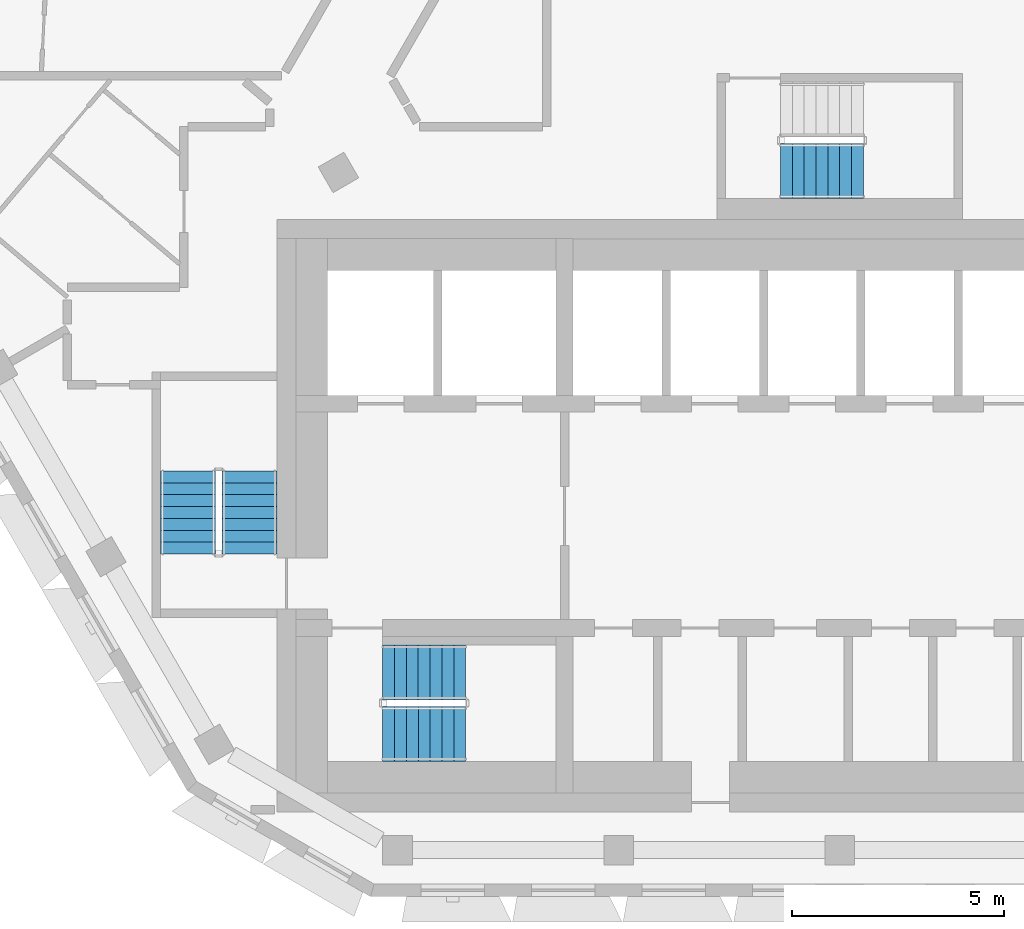
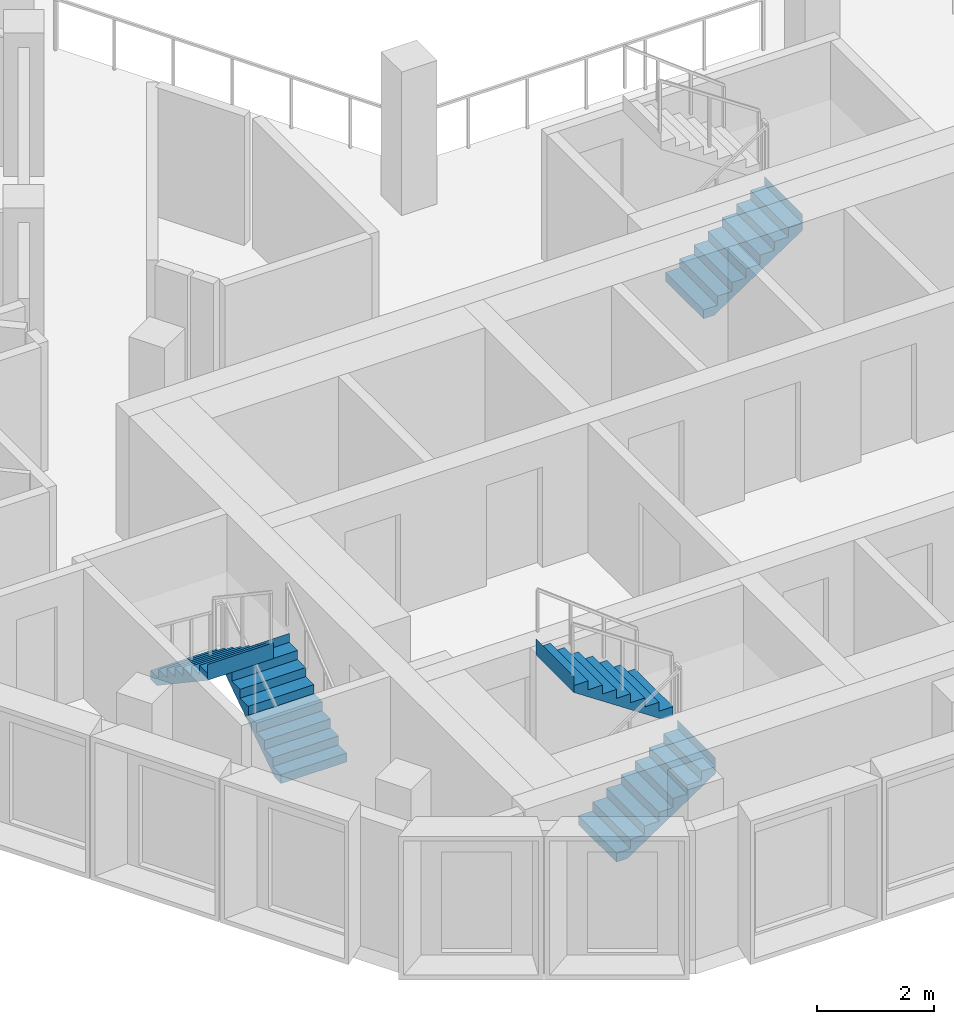
# One storey, part 10 of 16: 5 stair flights, 3 elements without a shape of their own.
"""IFC4 building model written with IfcOpenShell, lengths in metres."""

from ifc_helpers import new_model, si_unit, direction, frame, origin, place, context, subcontext, project, spatial, triangles, material, type_object, element, aggregate, save


model = new_model("IFC4")

# Units and contexts
model_context = context("Model", 3, precision=1e-05, world=origin(), true_north=direction((0.0, 1.0)))
body_context = subcontext(model_context, "Body", "Model", "MODEL_VIEW")
ifc_project = project(units=[si_unit("LENGTHUNIT", "METRE"), si_unit("AREAUNIT", "SQUARE_METRE"), si_unit("VOLUMEUNIT", "CUBIC_METRE"), si_unit("PLANEANGLEUNIT", "RADIAN"), si_unit("MASSUNIT", "GRAM", prefix="KILO")], contexts=[model_context])

# Site, building, storey
site_placement = place(None, origin())
site = spatial("IfcSite", under=ifc_project, at=site_placement, CompositionType="ELEMENT")
building_placement = place(site_placement, origin())
building = spatial("IfcBuilding", under=site, at=building_placement, Name="Beryl Residences", CompositionType="ELEMENT")
storey_placement = place(building_placement, frame((0.0, 0.0, 232.800048828125)))
storey = spatial("IfcBuildingStorey", under=building, at=storey_placement, Name="L72", CompositionType="ELEMENT", Elevation=232.800048828125)

# Stair, stair flights
ifc_material_1 = material(Name="Concrete C40/50", Category="concrete")
stair_type = type_object("IfcStairType", Name="ST1 protected exit stair, half-turn, 1300 mm flights", PredefinedType="HALF_TURN_STAIR", material=ifc_material_1)
stair_1_placement = place(storey_placement, origin())
stair_1 = element("IfcStair", 1, at=stair_1_placement, inside=storey, type_object=stair_type, Name="L72 PROTECTED EXIT STAIR ST-1", PredefinedType="HALF_TURN_STAIR")
ifc_material_2 = material(Name="Concrete C40/50", Category="concrete")
stair_flight_type = type_object("IfcStairFlightType", Name="SF1 stair flight 1300 mm", PredefinedType="STRAIGHT", material=ifc_material_2)
stair_flight_1_placement = place(storey_placement, frame((-10.800048828125, -17.14990234375, 0.0), z_axis=(0.0, 0.0, 1.0), x_axis=(1.0, 0.0, 0.0)))
stair_flight_1 = element("IfcStairFlight", 2, at=stair_flight_1_placement, type_object=stair_flight_type, Name="ST-1 flight 1", NumberOfRisers=8, NumberOfTreads=7, PredefinedType="STRAIGHT", RiserHeight=0.1875, TreadLength=0.28, context=body_context, shape_type="Tessellation", body=[
    triangles([(0.0, -0.64990234375, 0.0), (0.0, -0.324951171875, 0.0), (0.0, 0.0, 0.0), (0.0, 0.324951171875, 0.0), (0.0, 0.64990234375, 0.0), (0.0, -0.64990234375, 0.1875), (0.0, -0.324951171875, 0.1875), (0.0, 0.0, 0.1875), (0.0, 0.324951171875, 0.1875), (0.0, 0.64990234375, 0.1875), (0.280029296875, -0.64990234375, 0.1875), (0.280029296875, -0.324951171875, 0.1875), (0.280029296875, 0.0, 0.1875), (0.280029296875, 0.324951171875, 0.1875), (0.280029296875, 0.64990234375, 0.1875), (0.280029296875, -0.64990234375, 0.375), (0.280029296875, -0.324951171875, 0.375), (0.280029296875, 0.0, 0.375), (0.280029296875, 0.324951171875, 0.375), (0.280029296875, 0.64990234375, 0.375), (0.56005859375, -0.64990234375, 0.375), (0.56005859375, -0.324951171875, 0.375), (0.56005859375, 0.0, 0.375), (0.56005859375, 0.324951171875, 0.375), (0.56005859375, 0.64990234375, 0.375), (0.56005859375, -0.64990234375, 0.5625), (0.56005859375, -0.324951171875, 0.5625), (0.56005859375, 0.0, 0.5625), (0.56005859375, 0.324951171875, 0.5625), (0.56005859375, 0.64990234375, 0.5625), (0.840087890625, -0.64990234375, 0.5625), (0.840087890625, -0.324951171875, 0.5625), (0.840087890625, 0.0, 0.5625), (0.840087890625, 0.324951171875, 0.5625), (0.840087890625, 0.64990234375, 0.5625), (0.840087890625, -0.64990234375, 0.75), (0.840087890625, -0.324951171875, 0.75), (0.840087890625, 0.0, 0.75), (0.840087890625, 0.324951171875, 0.75), (0.840087890625, 0.64990234375, 0.75), (1.1201171875, -0.64990234375, 0.75), (1.1201171875, -0.324951171875, 0.75), (1.1201171875, 0.0, 0.75), (1.1201171875, 0.324951171875, 0.75), (1.1201171875, 0.64990234375, 0.75), (1.1201171875, -0.64990234375, 0.9375), (1.1201171875, -0.324951171875, 0.9375), (1.1201171875, 0.0, 0.9375), (1.1201171875, 0.324951171875, 0.9375), (1.1201171875, 0.64990234375, 0.9375), (1.39990234375, -0.64990234375, 0.9375), (1.39990234375, -0.324951171875, 0.9375), (1.39990234375, 0.0, 0.9375), (1.39990234375, 0.324951171875, 0.9375), (1.39990234375, 0.64990234375, 0.9375), (1.39990234375, -0.64990234375, 1.125), (1.39990234375, -0.324951171875, 1.125), (1.39990234375, 0.0, 1.125), (1.39990234375, 0.324951171875, 1.125), (1.39990234375, 0.64990234375, 1.125), (1.679931640625, -0.64990234375, 1.125), (1.679931640625, -0.324951171875, 1.125), (1.679931640625, 0.0, 1.125), (1.679931640625, 0.324951171875, 1.125), (1.679931640625, 0.64990234375, 1.125), (1.679931640625, -0.64990234375, 1.3125), (1.679931640625, -0.324951171875, 1.3125), (1.679931640625, 0.0, 1.3125), (1.679931640625, 0.324951171875, 1.3125), (1.679931640625, 0.64990234375, 1.3125), (1.9599609375, -0.64990234375, 1.3125), (1.9599609375, -0.324951171875, 1.3125), (1.9599609375, 0.0, 1.3125), (1.9599609375, 0.324951171875, 1.3125), (1.9599609375, 0.64990234375, 1.3125), (1.9599609375, -0.64990234375, 1.5), (1.9599609375, -0.324951171875, 1.5), (1.9599609375, 0.0, 1.5), (1.9599609375, 0.324951171875, 1.5), (1.9599609375, 0.64990234375, 1.5), (1.9609375, -0.64990234375, 1.5), (1.9609375, -0.324951171875, 1.5), (1.9609375, 0.0, 1.5), (1.9609375, 0.324951171875, 1.5), (1.9609375, 0.64990234375, 1.5), (1.9609375, -0.64990234375, 1.16796875), (1.9609375, -0.324951171875, 1.16796875), (1.9609375, 0.0, 1.16796875), (1.9609375, 0.324951171875, 1.16796875), (1.9609375, 0.64990234375, 1.16796875), (0.216796875, -0.64990234375, 0.0), (0.216796875, -0.324951171875, 0.0), (0.216796875, 0.0, 0.0), (0.216796875, 0.324951171875, 0.0), (0.216796875, 0.64990234375, 0.0)], [[1, 6, 7], [1, 7, 2], [2, 7, 8], [2, 8, 3], [3, 8, 9], [3, 9, 4], [4, 9, 10], [4, 10, 5], [6, 11, 12], [6, 12, 7], [7, 12, 13], [7, 13, 8], [8, 13, 14], [8, 14, 9], [9, 14, 15], [9, 15, 10], [11, 16, 17], [11, 17, 12], [12, 17, 18], [12, 18, 13], [13, 18, 19], [13, 19, 14], [14, 19, 20], [14, 20, 15], [16, 21, 22], [16, 22, 17], [17, 22, 23], [17, 23, 18], [18, 23, 24], [18, 24, 19], [19, 24, 25], [19, 25, 20], [21, 26, 27], [21, 27, 22], [22, 27, 28], [22, 28, 23], [23, 28, 29], [23, 29, 24], [24, 29, 30], [24, 30, 25], [26, 31, 32], [26, 32, 27], [27, 32, 33], [27, 33, 28], [28, 33, 34], [28, 34, 29], [29, 34, 35], [29, 35, 30], [31, 36, 37], [31, 37, 32], [32, 37, 38], [32, 38, 33], [33, 38, 39], [33, 39, 34], [34, 39, 40], [34, 40, 35], [36, 41, 42], [36, 42, 37], [37, 42, 43], [37, 43, 38], [38, 43, 44], [38, 44, 39], [39, 44, 45], [39, 45, 40], [41, 46, 47], [41, 47, 42], [42, 47, 48], [42, 48, 43], [43, 48, 49], [43, 49, 44], [44, 49, 50], [44, 50, 45], [46, 51, 52], [46, 52, 47], [47, 52, 53], [47, 53, 48], [48, 53, 54], [48, 54, 49], [49, 54, 55], [49, 55, 50], [51, 56, 57], [51, 57, 52], [52, 57, 58], [52, 58, 53], [53, 58, 59], [53, 59, 54], [54, 59, 60], [54, 60, 55], [56, 61, 62], [56, 62, 57], [57, 62, 63], [57, 63, 58], [58, 63, 64], [58, 64, 59], [59, 64, 65], [59, 65, 60], [61, 66, 67], [61, 67, 62], [62, 67, 68], [62, 68, 63], [63, 68, 69], [63, 69, 64], [64, 69, 70], [64, 70, 65], [66, 71, 72], [66, 72, 67], [67, 72, 73], [67, 73, 68], [68, 73, 74], [68, 74, 69], [69, 74, 75], [69, 75, 70], [71, 76, 77], [71, 77, 72], [72, 77, 78], [72, 78, 73], [73, 78, 79], [73, 79, 74], [74, 79, 80], [74, 80, 75], [76, 81, 82], [76, 82, 77], [77, 82, 83], [77, 83, 78], [78, 83, 84], [78, 84, 79], [79, 84, 85], [79, 85, 80], [81, 86, 87], [81, 87, 82], [82, 87, 88], [82, 88, 83], [83, 88, 89], [83, 89, 84], [84, 89, 90], [84, 90, 85], [86, 91, 92], [86, 92, 87], [87, 92, 93], [87, 93, 88], [88, 93, 94], [88, 94, 89], [89, 94, 95], [89, 95, 90], [91, 1, 2], [91, 2, 92], [92, 2, 3], [92, 3, 93], [93, 3, 4], [93, 4, 94], [94, 4, 5], [94, 5, 95], [1, 91, 86], [5, 90, 95], [86, 81, 76], [90, 80, 85], [86, 76, 71], [90, 75, 80], [86, 71, 66], [90, 70, 75], [86, 66, 61], [90, 65, 70], [61, 56, 51], [65, 55, 60], [86, 61, 51], [90, 55, 65], [51, 46, 41], [55, 45, 50], [86, 51, 41], [90, 45, 55], [41, 36, 31], [45, 35, 40], [86, 41, 31], [90, 35, 45], [31, 26, 21], [35, 25, 30], [86, 31, 21], [90, 25, 35], [21, 16, 11], [25, 15, 20], [86, 21, 11], [90, 15, 25], [1, 86, 11], [5, 15, 90], [11, 6, 1], [15, 5, 10]], closed=True),
])
stair_flight_2_placement = place(storey_placement, frame((-8.840087890625, -15.699951171875, 1.5), z_axis=(0.0, 0.0, 1.0), x_axis=(-1.0, 0.0, 0.0)))
stair_flight_2 = element("IfcStairFlight", 3, at=stair_flight_2_placement, type_object=stair_flight_type, Name="ST-1 flight 2", NumberOfRisers=8, NumberOfTreads=7, PredefinedType="STRAIGHT", RiserHeight=0.1875, TreadLength=0.28, context=body_context, shape_type="Tessellation", body=[
    triangles([(0.0, -0.64990234375, 0.0), (0.0, -0.324951171875, 0.0), (0.0, 0.0, 0.0), (0.0, 0.324951171875, 0.0), (0.0, 0.64990234375, 0.0), (0.0, -0.64990234375, 0.1875), (0.0, -0.324951171875, 0.1875), (0.0, 0.0, 0.1875), (0.0, 0.324951171875, 0.1875), (0.0, 0.64990234375, 0.1875), (0.280029296875, -0.64990234375, 0.1875), (0.280029296875, -0.324951171875, 0.1875), (0.280029296875, 0.0, 0.1875), (0.280029296875, 0.324951171875, 0.1875), (0.280029296875, 0.64990234375, 0.1875), (0.280029296875, -0.64990234375, 0.375), (0.280029296875, -0.324951171875, 0.375), (0.280029296875, 0.0, 0.375), (0.280029296875, 0.324951171875, 0.375), (0.280029296875, 0.64990234375, 0.375), (0.56005859375, -0.64990234375, 0.375), (0.56005859375, -0.324951171875, 0.375), (0.56005859375, 0.0, 0.375), (0.56005859375, 0.324951171875, 0.375), (0.56005859375, 0.64990234375, 0.375), (0.56005859375, -0.64990234375, 0.5625), (0.56005859375, -0.324951171875, 0.5625), (0.56005859375, 0.0, 0.5625), (0.56005859375, 0.324951171875, 0.5625), (0.56005859375, 0.64990234375, 0.5625), (0.840087890625, -0.64990234375, 0.5625), (0.840087890625, -0.324951171875, 0.5625), (0.840087890625, 0.0, 0.5625), (0.840087890625, 0.324951171875, 0.5625), (0.840087890625, 0.64990234375, 0.5625), (0.840087890625, -0.64990234375, 0.75), (0.840087890625, -0.324951171875, 0.75), (0.840087890625, 0.0, 0.75), (0.840087890625, 0.324951171875, 0.75), (0.840087890625, 0.64990234375, 0.75), (1.1201171875, -0.64990234375, 0.75), (1.1201171875, -0.324951171875, 0.75), (1.1201171875, 0.0, 0.75), (1.1201171875, 0.324951171875, 0.75), (1.1201171875, 0.64990234375, 0.75), (1.1201171875, -0.64990234375, 0.9375), (1.1201171875, -0.324951171875, 0.9375), (1.1201171875, 0.0, 0.9375), (1.1201171875, 0.324951171875, 0.9375), (1.1201171875, 0.64990234375, 0.9375), (1.39990234375, -0.64990234375, 0.9375), (1.39990234375, -0.324951171875, 0.9375), (1.39990234375, 0.0, 0.9375), (1.39990234375, 0.324951171875, 0.9375), (1.39990234375, 0.64990234375, 0.9375), (1.39990234375, -0.64990234375, 1.125), (1.39990234375, -0.324951171875, 1.125), (1.39990234375, 0.0, 1.125), (1.39990234375, 0.324951171875, 1.125), (1.39990234375, 0.64990234375, 1.125), (1.679931640625, -0.64990234375, 1.125), (1.679931640625, -0.324951171875, 1.125), (1.679931640625, 0.0, 1.125), (1.679931640625, 0.324951171875, 1.125), (1.679931640625, 0.64990234375, 1.125), (1.679931640625, -0.64990234375, 1.3125), (1.679931640625, -0.324951171875, 1.3125), (1.679931640625, 0.0, 1.3125), (1.679931640625, 0.324951171875, 1.3125), (1.679931640625, 0.64990234375, 1.3125), (1.9599609375, -0.64990234375, 1.3125), (1.9599609375, -0.324951171875, 1.3125), (1.9599609375, 0.0, 1.3125), (1.9599609375, 0.324951171875, 1.3125), (1.9599609375, 0.64990234375, 1.3125), (1.9599609375, -0.64990234375, 1.5), (1.9599609375, -0.324951171875, 1.5), (1.9599609375, 0.0, 1.5), (1.9599609375, 0.324951171875, 1.5), (1.9599609375, 0.64990234375, 1.5), (1.9609375, -0.64990234375, 1.5), (1.9609375, -0.324951171875, 1.5), (1.9609375, 0.0, 1.5), (1.9609375, 0.324951171875, 1.5), (1.9609375, 0.64990234375, 1.5), (1.9609375, -0.64990234375, 1.16796875), (1.9609375, -0.324951171875, 1.16796875), (1.9609375, 0.0, 1.16796875), (1.9609375, 0.324951171875, 1.16796875), (1.9609375, 0.64990234375, 1.16796875), (0.216796875, -0.64990234375, 0.0), (0.216796875, -0.324951171875, 0.0), (0.216796875, 0.0, 0.0), (0.216796875, 0.324951171875, 0.0), (0.216796875, 0.64990234375, 0.0)], [[1, 6, 7], [1, 7, 2], [2, 7, 8], [2, 8, 3], [3, 8, 9], [3, 9, 4], [4, 9, 10], [4, 10, 5], [6, 11, 12], [6, 12, 7], [7, 12, 13], [7, 13, 8], [8, 13, 14], [8, 14, 9], [9, 14, 15], [9, 15, 10], [11, 16, 17], [11, 17, 12], [12, 17, 18], [12, 18, 13], [13, 18, 19], [13, 19, 14], [14, 19, 20], [14, 20, 15], [16, 21, 22], [16, 22, 17], [17, 22, 23], [17, 23, 18], [18, 23, 24], [18, 24, 19], [19, 24, 25], [19, 25, 20], [21, 26, 27], [21, 27, 22], [22, 27, 28], [22, 28, 23], [23, 28, 29], [23, 29, 24], [24, 29, 30], [24, 30, 25], [26, 31, 32], [26, 32, 27], [27, 32, 33], [27, 33, 28], [28, 33, 34], [28, 34, 29], [29, 34, 35], [29, 35, 30], [31, 36, 37], [31, 37, 32], [32, 37, 38], [32, 38, 33], [33, 38, 39], [33, 39, 34], [34, 39, 40], [34, 40, 35], [36, 41, 42], [36, 42, 37], [37, 42, 43], [37, 43, 38], [38, 43, 44], [38, 44, 39], [39, 44, 45], [39, 45, 40], [41, 46, 47], [41, 47, 42], [42, 47, 48], [42, 48, 43], [43, 48, 49], [43, 49, 44], [44, 49, 50], [44, 50, 45], [46, 51, 52], [46, 52, 47], [47, 52, 53], [47, 53, 48], [48, 53, 54], [48, 54, 49], [49, 54, 55], [49, 55, 50], [51, 56, 57], [51, 57, 52], [52, 57, 58], [52, 58, 53], [53, 58, 59], [53, 59, 54], [54, 59, 60], [54, 60, 55], [56, 61, 62], [56, 62, 57], [57, 62, 63], [57, 63, 58], [58, 63, 64], [58, 64, 59], [59, 64, 65], [59, 65, 60], [61, 66, 67], [61, 67, 62], [62, 67, 68], [62, 68, 63], [63, 68, 69], [63, 69, 64], [64, 69, 70], [64, 70, 65], [66, 71, 72], [66, 72, 67], [67, 72, 73], [67, 73, 68], [68, 73, 74], [68, 74, 69], [69, 74, 75], [69, 75, 70], [71, 76, 77], [71, 77, 72], [72, 77, 78], [72, 78, 73], [73, 78, 79], [73, 79, 74], [74, 79, 80], [74, 80, 75], [76, 81, 82], [76, 82, 77], [77, 82, 83], [77, 83, 78], [78, 83, 84], [78, 84, 79], [79, 84, 85], [79, 85, 80], [81, 86, 87], [81, 87, 82], [82, 87, 88], [82, 88, 83], [83, 88, 89], [83, 89, 84], [84, 89, 90], [84, 90, 85], [86, 91, 92], [86, 92, 87], [87, 92, 93], [87, 93, 88], [88, 93, 94], [88, 94, 89], [89, 94, 95], [89, 95, 90], [91, 1, 2], [91, 2, 92], [92, 2, 3], [92, 3, 93], [93, 3, 4], [93, 4, 94], [94, 4, 5], [94, 5, 95], [1, 91, 86], [5, 90, 95], [86, 81, 76], [90, 80, 85], [86, 76, 71], [90, 75, 80], [86, 71, 66], [90, 70, 75], [86, 66, 61], [90, 65, 70], [61, 56, 51], [65, 55, 60], [86, 61, 51], [90, 55, 65], [51, 46, 41], [55, 45, 50], [86, 51, 41], [90, 45, 55], [41, 36, 31], [45, 35, 40], [86, 41, 31], [90, 35, 45], [31, 26, 21], [35, 25, 30], [86, 31, 21], [90, 25, 35], [21, 16, 11], [25, 15, 20], [86, 21, 11], [90, 15, 25], [1, 86, 11], [5, 15, 90], [11, 6, 1], [15, 5, 10]], closed=True),
])
aggregate(stair_1, [stair_flight_1, stair_flight_2])

stair_2_placement = place(storey_placement, origin())
stair_2 = element("IfcStair", 4, at=stair_2_placement, inside=storey, type_object=stair_type, Name="L72 PROTECTED EXIT STAIR ST-2", PredefinedType="HALF_TURN_STAIR")
stair_flight_3_placement = place(storey_placement, frame((-13.949951171875, -12.89990234375, 0.0), z_axis=(0.0, 0.0, 1.0), x_axis=(0.0, 1.0, 0.0)))
stair_flight_3 = element("IfcStairFlight", 5, at=stair_flight_3_placement, type_object=stair_flight_type, Name="ST-2 flight 1", NumberOfRisers=8, NumberOfTreads=7, PredefinedType="STRAIGHT", RiserHeight=0.1875, TreadLength=0.28, context=body_context, shape_type="Tessellation", body=[
    triangles([(0.0, -0.64990234375, 0.0), (0.0, -0.324951171875, 0.0), (0.0, 0.0, 0.0), (0.0, 0.324951171875, 0.0), (0.0, 0.64990234375, 0.0), (0.0, -0.64990234375, 0.1875), (0.0, -0.324951171875, 0.1875), (0.0, 0.0, 0.1875), (0.0, 0.324951171875, 0.1875), (0.0, 0.64990234375, 0.1875), (0.280029296875, -0.64990234375, 0.1875), (0.280029296875, -0.324951171875, 0.1875), (0.280029296875, 0.0, 0.1875), (0.280029296875, 0.324951171875, 0.1875), (0.280029296875, 0.64990234375, 0.1875), (0.280029296875, -0.64990234375, 0.375), (0.280029296875, -0.324951171875, 0.375), (0.280029296875, 0.0, 0.375), (0.280029296875, 0.324951171875, 0.375), (0.280029296875, 0.64990234375, 0.375), (0.56005859375, -0.64990234375, 0.375), (0.56005859375, -0.324951171875, 0.375), (0.56005859375, 0.0, 0.375), (0.56005859375, 0.324951171875, 0.375), (0.56005859375, 0.64990234375, 0.375), (0.56005859375, -0.64990234375, 0.5625), (0.56005859375, -0.324951171875, 0.5625), (0.56005859375, 0.0, 0.5625), (0.56005859375, 0.324951171875, 0.5625), (0.56005859375, 0.64990234375, 0.5625), (0.840087890625, -0.64990234375, 0.5625), (0.840087890625, -0.324951171875, 0.5625), (0.840087890625, 0.0, 0.5625), (0.840087890625, 0.324951171875, 0.5625), (0.840087890625, 0.64990234375, 0.5625), (0.840087890625, -0.64990234375, 0.75), (0.840087890625, -0.324951171875, 0.75), (0.840087890625, 0.0, 0.75), (0.840087890625, 0.324951171875, 0.75), (0.840087890625, 0.64990234375, 0.75), (1.1201171875, -0.64990234375, 0.75), (1.1201171875, -0.324951171875, 0.75), (1.1201171875, 0.0, 0.75), (1.1201171875, 0.324951171875, 0.75), (1.1201171875, 0.64990234375, 0.75), (1.1201171875, -0.64990234375, 0.9375), (1.1201171875, -0.324951171875, 0.9375), (1.1201171875, 0.0, 0.9375), (1.1201171875, 0.324951171875, 0.9375), (1.1201171875, 0.64990234375, 0.9375), (1.39990234375, -0.64990234375, 0.9375), (1.39990234375, -0.324951171875, 0.9375), (1.39990234375, 0.0, 0.9375), (1.39990234375, 0.324951171875, 0.9375), (1.39990234375, 0.64990234375, 0.9375), (1.39990234375, -0.64990234375, 1.125), (1.39990234375, -0.324951171875, 1.125), (1.39990234375, 0.0, 1.125), (1.39990234375, 0.324951171875, 1.125), (1.39990234375, 0.64990234375, 1.125), (1.679931640625, -0.64990234375, 1.125), (1.679931640625, -0.324951171875, 1.125), (1.679931640625, 0.0, 1.125), (1.679931640625, 0.324951171875, 1.125), (1.679931640625, 0.64990234375, 1.125), (1.679931640625, -0.64990234375, 1.3125), (1.679931640625, -0.324951171875, 1.3125), (1.679931640625, 0.0, 1.3125), (1.679931640625, 0.324951171875, 1.3125), (1.679931640625, 0.64990234375, 1.3125), (1.9599609375, -0.64990234375, 1.3125), (1.9599609375, -0.324951171875, 1.3125), (1.9599609375, 0.0, 1.3125), (1.9599609375, 0.324951171875, 1.3125), (1.9599609375, 0.64990234375, 1.3125), (1.9599609375, -0.64990234375, 1.5), (1.9599609375, -0.324951171875, 1.5), (1.9599609375, 0.0, 1.5), (1.9599609375, 0.324951171875, 1.5), (1.9599609375, 0.64990234375, 1.5), (1.9609375, -0.64990234375, 1.5), (1.9609375, -0.324951171875, 1.5), (1.9609375, 0.0, 1.5), (1.9609375, 0.324951171875, 1.5), (1.9609375, 0.64990234375, 1.5), (1.9609375, -0.64990234375, 1.16796875), (1.9609375, -0.324951171875, 1.16796875), (1.9609375, 0.0, 1.16796875), (1.9609375, 0.324951171875, 1.16796875), (1.9609375, 0.64990234375, 1.16796875), (0.216796875, -0.64990234375, 0.0), (0.216796875, -0.324951171875, 0.0), (0.216796875, 0.0, 0.0), (0.216796875, 0.324951171875, 0.0), (0.216796875, 0.64990234375, 0.0)], [[1, 6, 7], [1, 7, 2], [2, 7, 8], [2, 8, 3], [3, 8, 9], [3, 9, 4], [4, 9, 10], [4, 10, 5], [6, 11, 12], [6, 12, 7], [7, 12, 13], [7, 13, 8], [8, 13, 14], [8, 14, 9], [9, 14, 15], [9, 15, 10], [11, 16, 17], [11, 17, 12], [12, 17, 18], [12, 18, 13], [13, 18, 19], [13, 19, 14], [14, 19, 20], [14, 20, 15], [16, 21, 22], [16, 22, 17], [17, 22, 23], [17, 23, 18], [18, 23, 24], [18, 24, 19], [19, 24, 25], [19, 25, 20], [21, 26, 27], [21, 27, 22], [22, 27, 28], [22, 28, 23], [23, 28, 29], [23, 29, 24], [24, 29, 30], [24, 30, 25], [26, 31, 32], [26, 32, 27], [27, 32, 33], [27, 33, 28], [28, 33, 34], [28, 34, 29], [29, 34, 35], [29, 35, 30], [31, 36, 37], [31, 37, 32], [32, 37, 38], [32, 38, 33], [33, 38, 39], [33, 39, 34], [34, 39, 40], [34, 40, 35], [36, 41, 42], [36, 42, 37], [37, 42, 43], [37, 43, 38], [38, 43, 44], [38, 44, 39], [39, 44, 45], [39, 45, 40], [41, 46, 47], [41, 47, 42], [42, 47, 48], [42, 48, 43], [43, 48, 49], [43, 49, 44], [44, 49, 50], [44, 50, 45], [46, 51, 52], [46, 52, 47], [47, 52, 53], [47, 53, 48], [48, 53, 54], [48, 54, 49], [49, 54, 55], [49, 55, 50], [51, 56, 57], [51, 57, 52], [52, 57, 58], [52, 58, 53], [53, 58, 59], [53, 59, 54], [54, 59, 60], [54, 60, 55], [56, 61, 62], [56, 62, 57], [57, 62, 63], [57, 63, 58], [58, 63, 64], [58, 64, 59], [59, 64, 65], [59, 65, 60], [61, 66, 67], [61, 67, 62], [62, 67, 68], [62, 68, 63], [63, 68, 69], [63, 69, 64], [64, 69, 70], [64, 70, 65], [66, 71, 72], [66, 72, 67], [67, 72, 73], [67, 73, 68], [68, 73, 74], [68, 74, 69], [69, 74, 75], [69, 75, 70], [71, 76, 77], [71, 77, 72], [72, 77, 78], [72, 78, 73], [73, 78, 79], [73, 79, 74], [74, 79, 80], [74, 80, 75], [76, 81, 82], [76, 82, 77], [77, 82, 83], [77, 83, 78], [78, 83, 84], [78, 84, 79], [79, 84, 85], [79, 85, 80], [81, 86, 87], [81, 87, 82], [82, 87, 88], [82, 88, 83], [83, 88, 89], [83, 89, 84], [84, 89, 90], [84, 90, 85], [86, 91, 92], [86, 92, 87], [87, 92, 93], [87, 93, 88], [88, 93, 94], [88, 94, 89], [89, 94, 95], [89, 95, 90], [91, 1, 2], [91, 2, 92], [92, 2, 3], [92, 3, 93], [93, 3, 4], [93, 4, 94], [94, 4, 5], [94, 5, 95], [1, 91, 86], [5, 90, 95], [86, 81, 76], [90, 80, 85], [86, 76, 71], [90, 75, 80], [86, 71, 66], [90, 70, 75], [86, 66, 61], [90, 65, 70], [61, 56, 51], [65, 55, 60], [86, 61, 51], [90, 55, 65], [51, 46, 41], [55, 45, 50], [86, 51, 41], [90, 45, 55], [41, 36, 31], [45, 35, 40], [86, 41, 31], [90, 35, 45], [31, 26, 21], [35, 25, 30], [86, 31, 21], [90, 25, 35], [21, 16, 11], [25, 15, 20], [86, 21, 11], [90, 15, 25], [1, 86, 11], [5, 15, 90], [11, 6, 1], [15, 5, 10]], closed=True),
])
stair_flight_4_placement = place(storey_placement, frame((-15.39990234375, -10.93994140625, 1.5), z_axis=(0.0, 0.0, 1.0), x_axis=(0.0, -1.0, 0.0)))
stair_flight_4 = element("IfcStairFlight", 6, at=stair_flight_4_placement, type_object=stair_flight_type, Name="ST-2 flight 2", NumberOfRisers=8, NumberOfTreads=7, PredefinedType="STRAIGHT", RiserHeight=0.1875, TreadLength=0.28, context=body_context, shape_type="Tessellation", body=[
    triangles([(0.0, -0.64990234375, 0.0), (0.0, -0.324951171875, 0.0), (0.0, 0.0, 0.0), (0.0, 0.324951171875, 0.0), (0.0, 0.64990234375, 0.0), (0.0, -0.64990234375, 0.1875), (0.0, -0.324951171875, 0.1875), (0.0, 0.0, 0.1875), (0.0, 0.324951171875, 0.1875), (0.0, 0.64990234375, 0.1875), (0.280029296875, -0.64990234375, 0.1875), (0.280029296875, -0.324951171875, 0.1875), (0.280029296875, 0.0, 0.1875), (0.280029296875, 0.324951171875, 0.1875), (0.280029296875, 0.64990234375, 0.1875), (0.280029296875, -0.64990234375, 0.375), (0.280029296875, -0.324951171875, 0.375), (0.280029296875, 0.0, 0.375), (0.280029296875, 0.324951171875, 0.375), (0.280029296875, 0.64990234375, 0.375), (0.56005859375, -0.64990234375, 0.375), (0.56005859375, -0.324951171875, 0.375), (0.56005859375, 0.0, 0.375), (0.56005859375, 0.324951171875, 0.375), (0.56005859375, 0.64990234375, 0.375), (0.56005859375, -0.64990234375, 0.5625), (0.56005859375, -0.324951171875, 0.5625), (0.56005859375, 0.0, 0.5625), (0.56005859375, 0.324951171875, 0.5625), (0.56005859375, 0.64990234375, 0.5625), (0.840087890625, -0.64990234375, 0.5625), (0.840087890625, -0.324951171875, 0.5625), (0.840087890625, 0.0, 0.5625), (0.840087890625, 0.324951171875, 0.5625), (0.840087890625, 0.64990234375, 0.5625), (0.840087890625, -0.64990234375, 0.75), (0.840087890625, -0.324951171875, 0.75), (0.840087890625, 0.0, 0.75), (0.840087890625, 0.324951171875, 0.75), (0.840087890625, 0.64990234375, 0.75), (1.1201171875, -0.64990234375, 0.75), (1.1201171875, -0.324951171875, 0.75), (1.1201171875, 0.0, 0.75), (1.1201171875, 0.324951171875, 0.75), (1.1201171875, 0.64990234375, 0.75), (1.1201171875, -0.64990234375, 0.9375), (1.1201171875, -0.324951171875, 0.9375), (1.1201171875, 0.0, 0.9375), (1.1201171875, 0.324951171875, 0.9375), (1.1201171875, 0.64990234375, 0.9375), (1.39990234375, -0.64990234375, 0.9375), (1.39990234375, -0.324951171875, 0.9375), (1.39990234375, 0.0, 0.9375), (1.39990234375, 0.324951171875, 0.9375), (1.39990234375, 0.64990234375, 0.9375), (1.39990234375, -0.64990234375, 1.125), (1.39990234375, -0.324951171875, 1.125), (1.39990234375, 0.0, 1.125), (1.39990234375, 0.324951171875, 1.125), (1.39990234375, 0.64990234375, 1.125), (1.679931640625, -0.64990234375, 1.125), (1.679931640625, -0.324951171875, 1.125), (1.679931640625, 0.0, 1.125), (1.679931640625, 0.324951171875, 1.125), (1.679931640625, 0.64990234375, 1.125), (1.679931640625, -0.64990234375, 1.3125), (1.679931640625, -0.324951171875, 1.3125), (1.679931640625, 0.0, 1.3125), (1.679931640625, 0.324951171875, 1.3125), (1.679931640625, 0.64990234375, 1.3125), (1.9599609375, -0.64990234375, 1.3125), (1.9599609375, -0.324951171875, 1.3125), (1.9599609375, 0.0, 1.3125), (1.9599609375, 0.324951171875, 1.3125), (1.9599609375, 0.64990234375, 1.3125), (1.9599609375, -0.64990234375, 1.5), (1.9599609375, -0.324951171875, 1.5), (1.9599609375, 0.0, 1.5), (1.9599609375, 0.324951171875, 1.5), (1.9599609375, 0.64990234375, 1.5), (1.9609375, -0.64990234375, 1.5), (1.9609375, -0.324951171875, 1.5), (1.9609375, 0.0, 1.5), (1.9609375, 0.324951171875, 1.5), (1.9609375, 0.64990234375, 1.5), (1.9609375, -0.64990234375, 1.16796875), (1.9609375, -0.324951171875, 1.16796875), (1.9609375, 0.0, 1.16796875), (1.9609375, 0.324951171875, 1.16796875), (1.9609375, 0.64990234375, 1.16796875), (0.216796875, -0.64990234375, 0.0), (0.216796875, -0.324951171875, 0.0), (0.216796875, 0.0, 0.0), (0.216796875, 0.324951171875, 0.0), (0.216796875, 0.64990234375, 0.0)], [[1, 6, 7], [1, 7, 2], [2, 7, 8], [2, 8, 3], [3, 8, 9], [3, 9, 4], [4, 9, 10], [4, 10, 5], [6, 11, 12], [6, 12, 7], [7, 12, 13], [7, 13, 8], [8, 13, 14], [8, 14, 9], [9, 14, 15], [9, 15, 10], [11, 16, 17], [11, 17, 12], [12, 17, 18], [12, 18, 13], [13, 18, 19], [13, 19, 14], [14, 19, 20], [14, 20, 15], [16, 21, 22], [16, 22, 17], [17, 22, 23], [17, 23, 18], [18, 23, 24], [18, 24, 19], [19, 24, 25], [19, 25, 20], [21, 26, 27], [21, 27, 22], [22, 27, 28], [22, 28, 23], [23, 28, 29], [23, 29, 24], [24, 29, 30], [24, 30, 25], [26, 31, 32], [26, 32, 27], [27, 32, 33], [27, 33, 28], [28, 33, 34], [28, 34, 29], [29, 34, 35], [29, 35, 30], [31, 36, 37], [31, 37, 32], [32, 37, 38], [32, 38, 33], [33, 38, 39], [33, 39, 34], [34, 39, 40], [34, 40, 35], [36, 41, 42], [36, 42, 37], [37, 42, 43], [37, 43, 38], [38, 43, 44], [38, 44, 39], [39, 44, 45], [39, 45, 40], [41, 46, 47], [41, 47, 42], [42, 47, 48], [42, 48, 43], [43, 48, 49], [43, 49, 44], [44, 49, 50], [44, 50, 45], [46, 51, 52], [46, 52, 47], [47, 52, 53], [47, 53, 48], [48, 53, 54], [48, 54, 49], [49, 54, 55], [49, 55, 50], [51, 56, 57], [51, 57, 52], [52, 57, 58], [52, 58, 53], [53, 58, 59], [53, 59, 54], [54, 59, 60], [54, 60, 55], [56, 61, 62], [56, 62, 57], [57, 62, 63], [57, 63, 58], [58, 63, 64], [58, 64, 59], [59, 64, 65], [59, 65, 60], [61, 66, 67], [61, 67, 62], [62, 67, 68], [62, 68, 63], [63, 68, 69], [63, 69, 64], [64, 69, 70], [64, 70, 65], [66, 71, 72], [66, 72, 67], [67, 72, 73], [67, 73, 68], [68, 73, 74], [68, 74, 69], [69, 74, 75], [69, 75, 70], [71, 76, 77], [71, 77, 72], [72, 77, 78], [72, 78, 73], [73, 78, 79], [73, 79, 74], [74, 79, 80], [74, 80, 75], [76, 81, 82], [76, 82, 77], [77, 82, 83], [77, 83, 78], [78, 83, 84], [78, 84, 79], [79, 84, 85], [79, 85, 80], [81, 86, 87], [81, 87, 82], [82, 87, 88], [82, 88, 83], [83, 88, 89], [83, 89, 84], [84, 89, 90], [84, 90, 85], [86, 91, 92], [86, 92, 87], [87, 92, 93], [87, 93, 88], [88, 93, 94], [88, 94, 89], [89, 94, 95], [89, 95, 90], [91, 1, 2], [91, 2, 92], [92, 2, 3], [92, 3, 93], [93, 3, 4], [93, 4, 94], [94, 4, 5], [94, 5, 95], [1, 91, 86], [5, 90, 95], [86, 81, 76], [90, 80, 85], [86, 76, 71], [90, 75, 80], [86, 71, 66], [90, 70, 75], [86, 66, 61], [90, 65, 70], [61, 56, 51], [65, 55, 60], [86, 61, 51], [90, 55, 65], [51, 46, 41], [55, 45, 50], [86, 51, 41], [90, 45, 55], [41, 36, 31], [45, 35, 40], [86, 41, 31], [90, 35, 45], [31, 26, 21], [35, 25, 30], [86, 31, 21], [90, 25, 35], [21, 16, 11], [25, 15, 20], [86, 21, 11], [90, 15, 25], [1, 86, 11], [5, 15, 90], [11, 6, 1], [15, 5, 10]], closed=True),
])
aggregate(stair_2, [stair_flight_3, stair_flight_4])

# Stair, stair flight
stair_3_placement = place(storey_placement, origin())
stair_3 = element("IfcStair", 7, at=stair_3_placement, inside=storey, type_object=stair_type, Name="L72 PROTECTED EXIT STAIR ST-4", PredefinedType="HALF_TURN_STAIR")
stair_flight_5_placement = place(storey_placement, frame((-1.39990234375, -3.85009765625, 0.0), z_axis=(0.0, 0.0, 1.0), x_axis=(1.0, 0.0, 0.0)))
stair_flight_5 = element("IfcStairFlight", 8, at=stair_flight_5_placement, type_object=stair_flight_type, Name="ST-4 flight 1", NumberOfRisers=8, NumberOfTreads=7, PredefinedType="STRAIGHT", RiserHeight=0.1875, TreadLength=0.28, context=body_context, shape_type="Tessellation", body=[
    triangles([(0.0, -0.64990234375, 0.0), (0.0, -0.324951171875, 0.0), (0.0, 0.0, 0.0), (0.0, 0.324951171875, 0.0), (0.0, 0.64990234375, 0.0), (0.0, -0.64990234375, 0.1875), (0.0, -0.324951171875, 0.1875), (0.0, 0.0, 0.1875), (0.0, 0.324951171875, 0.1875), (0.0, 0.64990234375, 0.1875), (0.280029296875, -0.64990234375, 0.1875), (0.280029296875, -0.324951171875, 0.1875), (0.280029296875, 0.0, 0.1875), (0.280029296875, 0.324951171875, 0.1875), (0.280029296875, 0.64990234375, 0.1875), (0.280029296875, -0.64990234375, 0.375), (0.280029296875, -0.324951171875, 0.375), (0.280029296875, 0.0, 0.375), (0.280029296875, 0.324951171875, 0.375), (0.280029296875, 0.64990234375, 0.375), (0.56005859375, -0.64990234375, 0.375), (0.56005859375, -0.324951171875, 0.375), (0.56005859375, 0.0, 0.375), (0.56005859375, 0.324951171875, 0.375), (0.56005859375, 0.64990234375, 0.375), (0.56005859375, -0.64990234375, 0.5625), (0.56005859375, -0.324951171875, 0.5625), (0.56005859375, 0.0, 0.5625), (0.56005859375, 0.324951171875, 0.5625), (0.56005859375, 0.64990234375, 0.5625), (0.840087890625, -0.64990234375, 0.5625), (0.840087890625, -0.324951171875, 0.5625), (0.840087890625, 0.0, 0.5625), (0.840087890625, 0.324951171875, 0.5625), (0.840087890625, 0.64990234375, 0.5625), (0.840087890625, -0.64990234375, 0.75), (0.840087890625, -0.324951171875, 0.75), (0.840087890625, 0.0, 0.75), (0.840087890625, 0.324951171875, 0.75), (0.840087890625, 0.64990234375, 0.75), (1.1201171875, -0.64990234375, 0.75), (1.1201171875, -0.324951171875, 0.75), (1.1201171875, 0.0, 0.75), (1.1201171875, 0.324951171875, 0.75), (1.1201171875, 0.64990234375, 0.75), (1.1201171875, -0.64990234375, 0.9375), (1.1201171875, -0.324951171875, 0.9375), (1.1201171875, 0.0, 0.9375), (1.1201171875, 0.324951171875, 0.9375), (1.1201171875, 0.64990234375, 0.9375), (1.39990234375, -0.64990234375, 0.9375), (1.39990234375, -0.324951171875, 0.9375), (1.39990234375, 0.0, 0.9375), (1.39990234375, 0.324951171875, 0.9375), (1.39990234375, 0.64990234375, 0.9375), (1.39990234375, -0.64990234375, 1.125), (1.39990234375, -0.324951171875, 1.125), (1.39990234375, 0.0, 1.125), (1.39990234375, 0.324951171875, 1.125), (1.39990234375, 0.64990234375, 1.125), (1.679931640625, -0.64990234375, 1.125), (1.679931640625, -0.324951171875, 1.125), (1.679931640625, 0.0, 1.125), (1.679931640625, 0.324951171875, 1.125), (1.679931640625, 0.64990234375, 1.125), (1.679931640625, -0.64990234375, 1.3125), (1.679931640625, -0.324951171875, 1.3125), (1.679931640625, 0.0, 1.3125), (1.679931640625, 0.324951171875, 1.3125), (1.679931640625, 0.64990234375, 1.3125), (1.9599609375, -0.64990234375, 1.3125), (1.9599609375, -0.324951171875, 1.3125), (1.9599609375, 0.0, 1.3125), (1.9599609375, 0.324951171875, 1.3125), (1.9599609375, 0.64990234375, 1.3125), (1.9599609375, -0.64990234375, 1.5), (1.9599609375, -0.324951171875, 1.5), (1.9599609375, 0.0, 1.5), (1.9599609375, 0.324951171875, 1.5), (1.9599609375, 0.64990234375, 1.5), (1.9609375, -0.64990234375, 1.5), (1.9609375, -0.324951171875, 1.5), (1.9609375, 0.0, 1.5), (1.9609375, 0.324951171875, 1.5), (1.9609375, 0.64990234375, 1.5), (1.9609375, -0.64990234375, 1.16796875), (1.9609375, -0.324951171875, 1.16796875), (1.9609375, 0.0, 1.16796875), (1.9609375, 0.324951171875, 1.16796875), (1.9609375, 0.64990234375, 1.16796875), (0.216796875, -0.64990234375, 0.0), (0.216796875, -0.324951171875, 0.0), (0.216796875, 0.0, 0.0), (0.216796875, 0.324951171875, 0.0), (0.216796875, 0.64990234375, 0.0)], [[1, 6, 7], [1, 7, 2], [2, 7, 8], [2, 8, 3], [3, 8, 9], [3, 9, 4], [4, 9, 10], [4, 10, 5], [6, 11, 12], [6, 12, 7], [7, 12, 13], [7, 13, 8], [8, 13, 14], [8, 14, 9], [9, 14, 15], [9, 15, 10], [11, 16, 17], [11, 17, 12], [12, 17, 18], [12, 18, 13], [13, 18, 19], [13, 19, 14], [14, 19, 20], [14, 20, 15], [16, 21, 22], [16, 22, 17], [17, 22, 23], [17, 23, 18], [18, 23, 24], [18, 24, 19], [19, 24, 25], [19, 25, 20], [21, 26, 27], [21, 27, 22], [22, 27, 28], [22, 28, 23], [23, 28, 29], [23, 29, 24], [24, 29, 30], [24, 30, 25], [26, 31, 32], [26, 32, 27], [27, 32, 33], [27, 33, 28], [28, 33, 34], [28, 34, 29], [29, 34, 35], [29, 35, 30], [31, 36, 37], [31, 37, 32], [32, 37, 38], [32, 38, 33], [33, 38, 39], [33, 39, 34], [34, 39, 40], [34, 40, 35], [36, 41, 42], [36, 42, 37], [37, 42, 43], [37, 43, 38], [38, 43, 44], [38, 44, 39], [39, 44, 45], [39, 45, 40], [41, 46, 47], [41, 47, 42], [42, 47, 48], [42, 48, 43], [43, 48, 49], [43, 49, 44], [44, 49, 50], [44, 50, 45], [46, 51, 52], [46, 52, 47], [47, 52, 53], [47, 53, 48], [48, 53, 54], [48, 54, 49], [49, 54, 55], [49, 55, 50], [51, 56, 57], [51, 57, 52], [52, 57, 58], [52, 58, 53], [53, 58, 59], [53, 59, 54], [54, 59, 60], [54, 60, 55], [56, 61, 62], [56, 62, 57], [57, 62, 63], [57, 63, 58], [58, 63, 64], [58, 64, 59], [59, 64, 65], [59, 65, 60], [61, 66, 67], [61, 67, 62], [62, 67, 68], [62, 68, 63], [63, 68, 69], [63, 69, 64], [64, 69, 70], [64, 70, 65], [66, 71, 72], [66, 72, 67], [67, 72, 73], [67, 73, 68], [68, 73, 74], [68, 74, 69], [69, 74, 75], [69, 75, 70], [71, 76, 77], [71, 77, 72], [72, 77, 78], [72, 78, 73], [73, 78, 79], [73, 79, 74], [74, 79, 80], [74, 80, 75], [76, 81, 82], [76, 82, 77], [77, 82, 83], [77, 83, 78], [78, 83, 84], [78, 84, 79], [79, 84, 85], [79, 85, 80], [81, 86, 87], [81, 87, 82], [82, 87, 88], [82, 88, 83], [83, 88, 89], [83, 89, 84], [84, 89, 90], [84, 90, 85], [86, 91, 92], [86, 92, 87], [87, 92, 93], [87, 93, 88], [88, 93, 94], [88, 94, 89], [89, 94, 95], [89, 95, 90], [91, 1, 2], [91, 2, 92], [92, 2, 3], [92, 3, 93], [93, 3, 4], [93, 4, 94], [94, 4, 5], [94, 5, 95], [1, 91, 86], [5, 90, 95], [86, 81, 76], [90, 80, 85], [86, 76, 71], [90, 75, 80], [86, 71, 66], [90, 70, 75], [86, 66, 61], [90, 65, 70], [61, 56, 51], [65, 55, 60], [86, 61, 51], [90, 55, 65], [51, 46, 41], [55, 45, 50], [86, 51, 41], [90, 45, 55], [41, 36, 31], [45, 35, 40], [86, 41, 31], [90, 35, 45], [31, 26, 21], [35, 25, 30], [86, 31, 21], [90, 25, 35], [21, 16, 11], [25, 15, 20], [86, 21, 11], [90, 15, 25], [1, 86, 11], [5, 15, 90], [11, 6, 1], [15, 5, 10]], closed=True),
])
aggregate(stair_3, [stair_flight_5])

save(model, "model.ifc")
